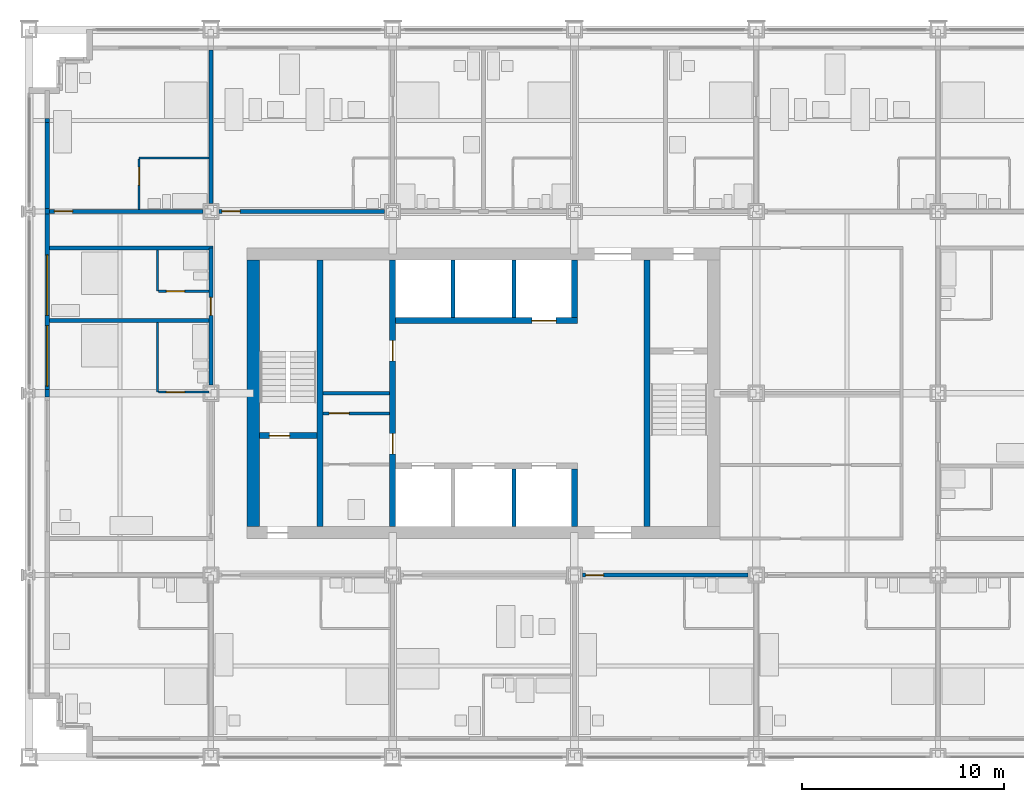
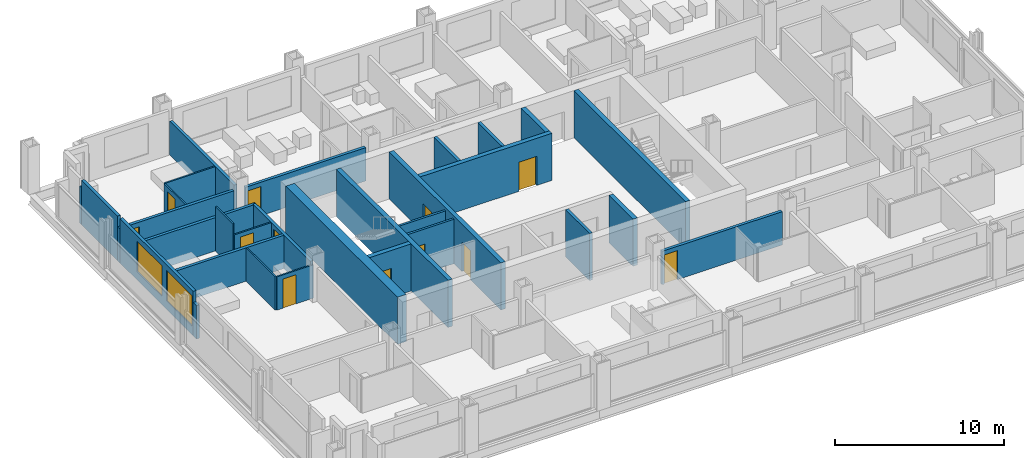
# One storey, part 11 of 18: 31 walls, 12 doors, 2 windows, 14 openings.
"""IFC4 building model written with IfcOpenShell, lengths in metres."""

from ifc_helpers import new_model, si_unit, direction, frame, frame_2d, origin, place, context, subcontext, project, spatial, rectangle, extrude, material, layer, layer_set, type_object, element, fill, save


model = new_model("IFC4")

# Units and contexts
model_context = context("Model", 3, precision=1e-05, world=origin(), true_north=direction((0.0, 1.0)))
body_context = subcontext(model_context, "Body", "Model", "MODEL_VIEW")
ifc_project = project(units=[si_unit("LENGTHUNIT", "METRE"), si_unit("AREAUNIT", "SQUARE_METRE"), si_unit("VOLUMEUNIT", "CUBIC_METRE"), si_unit("PLANEANGLEUNIT", "RADIAN"), si_unit("MASSUNIT", "GRAM", prefix="KILO")], contexts=[model_context])

# Site, building, storey
site_placement = place(None, origin())
site = spatial("IfcSite", under=ifc_project, at=site_placement, CompositionType="ELEMENT")
building_placement = place(site_placement, origin())
building = spatial("IfcBuilding", under=site, at=building_placement, Name="Loomwork Tower", CompositionType="ELEMENT")
storey_placement = place(building_placement, frame((0.0, 0.0, 41.60009765625)))
storey = spatial("IfcBuildingStorey", under=building, at=storey_placement, Name="L09", CompositionType="ELEMENT", Elevation=41.60009765625)

# Wall
ifc_material_1 = material(Name="Concrete 14000 psi (97 MPa)", Category="concrete")
ifc_layer_1 = layer(ifc_material_1, 0.300048828125)
ifc_layer_set_1 = layer_set([ifc_layer_1], Name="Core shear wall 300")
wall_type_1 = type_object("IfcWallType", Name="Core shear wall 300", PredefinedType="SHEAR", material=ifc_layer_set_1)
wall_1_placement = place(storey_placement, frame((14.39990234375, 11.39990234375, 0.0), z_axis=(0.0, 0.0, 1.0), x_axis=(0.0, 1.0, 0.0)))
element("IfcWall", 1, at=wall_1_placement, inside=storey, type_object=wall_type_1, Name="Stair A east wall L09", PredefinedType="SHEAR", context=body_context, shape_type="SweptSolid", body=[
    extrude(rectangle(XDim=13.2001953125, YDim=0.300048828125, at=frame_2d((6.60009765625, 0.0))), origin(), (0.0, 0.0, 1.0), 3.39990234375),
])

# Wall, opening, door
wall_2_placement = place(storey_placement, frame((11.39990234375, 15.89990234375, 0.0), z_axis=(0.0, 0.0, 1.0), x_axis=(1.0, 0.0, 0.0)))
wall_2 = element("IfcWall", 2, at=wall_2_placement, inside=storey, type_object=wall_type_1, Name="Stair A south wall L09", PredefinedType="SHEAR", context=body_context, shape_type="SweptSolid", body=[
    extrude(rectangle(XDim=2.85009765625, YDim=0.300048828125, at=frame_2d((1.425048828125, 0.0))), origin(), (0.0, 0.0, 1.0), 3.39990234375),
])
opening_1_placement = place(wall_2_placement, frame((0.5, 0.0, 0.0)))
opening_1 = element("IfcOpeningElement", 3, at=opening_1_placement, cuts=wall_2, Name="Opening D4", PredefinedType="OPENING", context=body_context, shape_type="SweptSolid", body=[
    extrude(rectangle(XDim=1.0, YDim=2.10009765625, at=frame_2d((0.5, 1.050048828125))), frame((0.0, 0.159912109375, 0.0), z_axis=(0.0, -1.0, 0.0), x_axis=(1.0, 0.0, 0.0)), (0.0, 0.0, 1.0), 0.320068359375),
])
ifc_material_2 = material(Name="Hollow metal door and frame")
door_type_1 = type_object("IfcDoorType", Name="Stair door 1000", OperationType="SINGLE_SWING_RIGHT", PredefinedType="DOOR", material=ifc_material_2)
door_1_placement = place(opening_1_placement, origin())
door_1 = element("IfcDoor", 4, at=door_1_placement, inside=storey, type_object=door_type_1, Name="Stair A door", OperationType="SINGLE_SWING_LEFT", OverallHeight=2.10009765625, OverallWidth=1.0, PredefinedType="DOOR", context=body_context, shape_type="SweptSolid", body=[
    extrude(rectangle(XDim=1.0, YDim=2.10009765625, at=frame_2d((0.5, 1.050048828125))), frame((0.0, 0.02490234375, 0.0), z_axis=(0.0, -1.0, 0.0), x_axis=(1.0, 0.0, 0.0)), (0.0, 0.0, 1.0), 0.050048828125),
])
fill(opening_1, door_1)

# Wall, openings, doors
wall_3_placement = place(storey_placement, frame((18.0, 11.39990234375, 0.0), z_axis=(0.0, 0.0, 1.0), x_axis=(0.0, 1.0, 0.0)))
wall_3 = element("IfcWall", 5, at=wall_3_placement, inside=storey, type_object=wall_type_1, Name="Lobby west wall L09", PredefinedType="SHEAR", context=body_context, shape_type="SweptSolid", body=[
    extrude(rectangle(XDim=13.2001953125, YDim=0.300048828125, at=frame_2d((6.60009765625, 0.0))), origin(), (0.0, 0.0, 1.0), 3.39990234375),
])
opening_2_placement = place(wall_3_placement, frame((3.60009765625, 0.0, 0.0)))
opening_2 = element("IfcOpeningElement", 6, at=opening_2_placement, cuts=wall_3, Name="Opening D5", PredefinedType="OPENING", context=body_context, shape_type="SweptSolid", body=[
    extrude(rectangle(XDim=1.0, YDim=2.10009765625, at=frame_2d((0.5, 1.050048828125))), frame((0.0, 0.159912109375, 0.0), z_axis=(0.0, -1.0, 0.0), x_axis=(1.0, 0.0, 0.0)), (0.0, 0.0, 1.0), 0.320068359375),
])
opening_3_placement = place(wall_3_placement, frame((8.199951171875, 0.0, 0.0)))
opening_3 = element("IfcOpeningElement", 7, at=opening_3_placement, cuts=wall_3, Name="Opening D5", PredefinedType="OPENING", context=body_context, shape_type="SweptSolid", body=[
    extrude(rectangle(XDim=1.0, YDim=2.10009765625, at=frame_2d((0.5, 1.050048828125))), frame((0.0, 0.159912109375, 0.0), z_axis=(0.0, -1.0, 0.0), x_axis=(1.0, 0.0, 0.0)), (0.0, 0.0, 1.0), 0.320068359375),
])
ifc_material_3 = material(Name="Hollow metal door and frame")
door_type_2 = type_object("IfcDoorType", Name="Service door 1000", OperationType="SINGLE_SWING_LEFT", PredefinedType="DOOR", material=ifc_material_3)
door_2_placement = place(opening_2_placement, origin())
door_2 = element("IfcDoor", 8, at=door_2_placement, inside=storey, type_object=door_type_2, Name="Back-of-house door south", OperationType="SINGLE_SWING_LEFT", OverallHeight=2.10009765625, OverallWidth=1.0, PredefinedType="DOOR", context=body_context, shape_type="SweptSolid", body=[
    extrude(rectangle(XDim=1.0, YDim=2.10009765625, at=frame_2d((0.5, 1.050048828125))), frame((0.0, 0.02490234375, 0.0), z_axis=(0.0, -1.0, 0.0), x_axis=(1.0, 0.0, 0.0)), (0.0, 0.0, 1.0), 0.050048828125),
])
fill(opening_2, door_2)
door_3_placement = place(opening_3_placement, origin())
door_3 = element("IfcDoor", 9, at=door_3_placement, inside=storey, type_object=door_type_2, Name="Back-of-house door north", OperationType="SINGLE_SWING_RIGHT", OverallHeight=2.10009765625, OverallWidth=1.0, PredefinedType="DOOR", context=body_context, shape_type="SweptSolid", body=[
    extrude(rectangle(XDim=1.0, YDim=2.10009765625, at=frame_2d((0.5, 1.050048828125))), frame((0.0, 0.02490234375, 0.0), z_axis=(0.0, -1.0, 0.0), x_axis=(1.0, 0.0, 0.0)), (0.0, 0.0, 1.0), 0.050048828125),
])
fill(opening_3, door_3)

# Wall
wall_4_placement = place(storey_placement, frame((27.0, 11.39990234375, 0.0), z_axis=(0.0, 0.0, 1.0), x_axis=(0.0, 1.0, 0.0)))
element("IfcWall", 10, at=wall_4_placement, inside=storey, type_object=wall_type_1, Name="Lift shaft end wall south L09", PredefinedType="SHEAR", context=body_context, shape_type="SweptSolid", body=[
    extrude(rectangle(XDim=2.85009765625, YDim=0.300048828125, at=frame_2d((1.425048828125, 0.0))), origin(), (0.0, 0.0, 1.0), 3.39990234375),
])

# Wall, opening, door
wall_5_placement = place(storey_placement, frame((18.14990234375, 21.60009765625, 0.0), z_axis=(0.0, 0.0, 1.0), x_axis=(1.0, 0.0, 0.0)))
wall_5 = element("IfcWall", 11, at=wall_5_placement, inside=storey, type_object=wall_type_1, Name="Lift front wall north L09", PredefinedType="SHEAR", context=body_context, shape_type="SweptSolid", body=[
    extrude(rectangle(XDim=9.0, YDim=0.300048828125, at=frame_2d((4.5, 0.0))), origin(), (0.0, 0.0, 1.0), 3.39990234375),
])
opening_4_placement = place(wall_5_placement, frame((6.75, 0.0, 0.0)))
opening_4 = element("IfcOpeningElement", 12, at=opening_4_placement, cuts=wall_5, Name="Opening LD2", PredefinedType="OPENING", context=body_context, shape_type="SweptSolid", body=[
    extrude(rectangle(XDim=1.199951171875, YDim=2.10009765625, at=frame_2d((0.60009765625, 1.050048828125))), frame((0.0, 0.159912109375, 0.0), z_axis=(0.0, -1.0, 0.0), x_axis=(1.0, 0.0, 0.0)), (0.0, 0.0, 1.0), 0.320068359375),
])
ifc_material_4 = material(Name="Hollow metal door and frame")
door_type_3 = type_object("IfcDoorType", Name="Lift landing door 1200", OperationType="SLIDING_TO_LEFT", PredefinedType="DOOR", material=ifc_material_4)
door_4_placement = place(opening_4_placement, origin())
door_4 = element("IfcDoor", 13, at=door_4_placement, inside=storey, type_object=door_type_3, Name="Lift landing door LF2", OperationType="SLIDING_TO_LEFT", OverallHeight=2.10009765625, OverallWidth=1.199951171875, PredefinedType="DOOR", context=body_context, shape_type="SweptSolid", body=[
    extrude(rectangle(XDim=1.199951171875, YDim=2.10009765625, at=frame_2d((0.60009765625, 1.050048828125))), frame((0.0, 0.02490234375, 0.0), z_axis=(0.0, -1.0, 0.0), x_axis=(1.0, 0.0, 0.0)), (0.0, 0.0, 1.0), 0.050048828125),
])
fill(opening_4, door_4)

# Walls
wall_6_placement = place(storey_placement, frame((27.0, 21.75, 0.0), z_axis=(0.0, 0.0, 1.0), x_axis=(0.0, 1.0, 0.0)))
element("IfcWall", 14, at=wall_6_placement, inside=storey, type_object=wall_type_1, Name="Lift shaft end wall north L09", PredefinedType="SHEAR", context=body_context, shape_type="SweptSolid", body=[
    extrude(rectangle(XDim=2.85009765625, YDim=0.300048828125, at=frame_2d((1.425048828125, 0.0))), origin(), (0.0, 0.0, 1.0), 3.39990234375),
])
wall_7_placement = place(storey_placement, frame((30.60009765625, 11.39990234375, 0.0), z_axis=(0.0, 0.0, 1.0), x_axis=(0.0, 1.0, 0.0)))
element("IfcWall", 15, at=wall_7_placement, inside=storey, type_object=wall_type_1, Name="Stair B west wall L09", PredefinedType="SHEAR", context=body_context, shape_type="SweptSolid", body=[
    extrude(rectangle(XDim=13.2001953125, YDim=0.300048828125, at=frame_2d((6.60009765625, 0.0))), origin(), (0.0, 0.0, 1.0), 3.39990234375),
])
ifc_material_5 = material(Name="Concrete 14000 psi (97 MPa)", Category="concrete")
ifc_layer_2 = layer(ifc_material_5, 0.60009765625)
ifc_layer_set_2 = layer_set([ifc_layer_2], Name="Core shear wall 600")
wall_type_2 = type_object("IfcWallType", Name="Core shear wall 600", PredefinedType="SHEAR", material=ifc_layer_set_2)
wall_8_placement = place(storey_placement, frame((11.10009765625, 11.39990234375, 0.0), z_axis=(0.0, 0.0, 1.0), x_axis=(0.0, 1.0, 0.0)))
element("IfcWall", 16, at=wall_8_placement, inside=storey, type_object=wall_type_2, Name="Core wall west L09", PredefinedType="SHEAR", context=body_context, shape_type="SweptSolid", body=[
    extrude(rectangle(XDim=13.2001953125, YDim=0.60009765625, at=frame_2d((6.60009765625, 0.0))), origin(), (0.0, 0.0, 1.0), 3.39990234375),
])

# Wall, opening, door
ifc_material_6 = material(Name="Gypsum board on steel studs, one-hour", Category="steel")
ifc_layer_3 = layer(ifc_material_6, 0.199951171875)
ifc_layer_set_3 = layer_set([ifc_layer_3], Name="Corridor wall 200")
wall_type_3 = type_object("IfcWallType", Name="Corridor wall 200", PredefinedType="PARTITIONING", material=ifc_layer_set_3)
wall_9_placement = place(storey_placement, frame((27.39990234375, 9.0, 0.0), z_axis=(0.0, 0.0, 1.0), x_axis=(1.0, 0.0, 0.0)))
wall_9 = element("IfcWall", 17, at=wall_9_placement, inside=storey, type_object=wall_type_3, Name="South corridor wall 4", PredefinedType="PARTITIONING", context=body_context, shape_type="SweptSolid", body=[
    extrude(rectangle(XDim=8.2001953125, YDim=0.199951171875, at=frame_2d((4.10009765625, 0.0))), origin(), (0.0, 0.0, 1.0), 2.40478515625),
])
opening_5_placement = place(wall_9_placement, frame((0.14990234375, 0.0, 0.0)))
opening_5 = element("IfcOpeningElement", 18, at=opening_5_placement, cuts=wall_9, Name="Opening D1", PredefinedType="OPENING", context=body_context, shape_type="SweptSolid", body=[
    extrude(rectangle(XDim=0.89990234375, YDim=2.10009765625, at=frame_2d((0.449951171875, 1.050048828125))), frame((0.0, 0.10986328125, 0.0), z_axis=(0.0, -1.0, 0.0), x_axis=(1.0, 0.0, 0.0)), (0.0, 0.0, 1.0), 0.219970703125),
])
ifc_material_7 = material(Name="Hollow metal door and frame")
door_type_4 = type_object("IfcDoorType", Name="Guest room entry door 900", OperationType="SINGLE_SWING_LEFT", PredefinedType="DOOR", material=ifc_material_7)
door_5_placement = place(opening_5_placement, frame((0.89990234375, 0.0, 0.0), z_axis=(0.0, 0.0, 1.0), x_axis=(-1.0, 0.0, 0.0)))
door_5 = element("IfcDoor", 19, at=door_5_placement, inside=storey, type_object=door_type_4, Name="Guest room entry door L09 4", OperationType="SINGLE_SWING_RIGHT", OverallHeight=2.10009765625, OverallWidth=0.89990234375, PredefinedType="DOOR", context=body_context, shape_type="SweptSolid", body=[
    extrude(rectangle(XDim=0.89990234375, YDim=2.10009765625, at=frame_2d((0.449951171875, 1.050048828125))), frame((0.0, 0.02490234375, 0.0), z_axis=(0.0, -1.0, 0.0), x_axis=(1.0, 0.0, 0.0)), (0.0, 0.0, 1.0), 0.050048828125),
])
fill(opening_5, door_5)

wall_10_placement = place(storey_placement, frame((1.0, 27.0, 0.0), z_axis=(0.0, 0.0, 1.0), x_axis=(1.0, 0.0, 0.0)))
wall_10 = element("IfcWall", 20, at=wall_10_placement, inside=storey, type_object=wall_type_3, Name="North corridor wall 1", PredefinedType="PARTITIONING", context=body_context, shape_type="SweptSolid", body=[
    extrude(rectangle(XDim=7.60009765625, YDim=0.199951171875, at=frame_2d((3.800048828125, 0.0))), origin(), (0.0, 0.0, 1.0), 2.43798828125),
])
opening_6_placement = place(wall_10_placement, frame((0.25, 0.0, 0.0)))
opening_6 = element("IfcOpeningElement", 21, at=opening_6_placement, cuts=wall_10, Name="Opening D1", PredefinedType="OPENING", context=body_context, shape_type="SweptSolid", body=[
    extrude(rectangle(XDim=0.89990234375, YDim=2.10009765625, at=frame_2d((0.449951171875, 1.050048828125))), frame((0.0, 0.10986328125, 0.0), z_axis=(0.0, -1.0, 0.0), x_axis=(1.0, 0.0, 0.0)), (0.0, 0.0, 1.0), 0.219970703125),
])
door_6_placement = place(opening_6_placement, origin())
door_6 = element("IfcDoor", 22, at=door_6_placement, inside=storey, type_object=door_type_4, Name="Guest room entry door L09 7", OperationType="SINGLE_SWING_LEFT", OverallHeight=2.10009765625, OverallWidth=0.89990234375, PredefinedType="DOOR", context=body_context, shape_type="SweptSolid", body=[
    extrude(rectangle(XDim=0.89990234375, YDim=2.10009765625, at=frame_2d((0.449951171875, 1.050048828125))), frame((0.0, 0.02490234375, 0.0), z_axis=(0.0, -1.0, 0.0), x_axis=(1.0, 0.0, 0.0)), (0.0, 0.0, 1.0), 0.050048828125),
])
fill(opening_6, door_6)

wall_11_placement = place(storey_placement, frame((9.39990234375, 27.0, 0.0), z_axis=(0.0, 0.0, 1.0), x_axis=(1.0, 0.0, 0.0)))
wall_11 = element("IfcWall", 23, at=wall_11_placement, inside=storey, type_object=wall_type_3, Name="North corridor wall 2", PredefinedType="PARTITIONING", context=body_context, shape_type="SweptSolid", body=[
    extrude(rectangle(XDim=8.2001953125, YDim=0.199951171875, at=frame_2d((4.10009765625, 0.0))), origin(), (0.0, 0.0, 1.0), 2.40478515625),
])
opening_7_placement = place(wall_11_placement, frame((0.14990234375, 0.0, 0.0)))
opening_7 = element("IfcOpeningElement", 24, at=opening_7_placement, cuts=wall_11, Name="Opening D1", PredefinedType="OPENING", context=body_context, shape_type="SweptSolid", body=[
    extrude(rectangle(XDim=0.89990234375, YDim=2.10009765625, at=frame_2d((0.449951171875, 1.050048828125))), frame((0.0, 0.10986328125, 0.0), z_axis=(0.0, -1.0, 0.0), x_axis=(1.0, 0.0, 0.0)), (0.0, 0.0, 1.0), 0.219970703125),
])
door_7_placement = place(opening_7_placement, origin())
door_7 = element("IfcDoor", 25, at=door_7_placement, inside=storey, type_object=door_type_4, Name="Guest room entry door L09 8", OperationType="SINGLE_SWING_LEFT", OverallHeight=2.10009765625, OverallWidth=0.89990234375, PredefinedType="DOOR", context=body_context, shape_type="SweptSolid", body=[
    extrude(rectangle(XDim=0.89990234375, YDim=2.10009765625, at=frame_2d((0.449951171875, 1.050048828125))), frame((0.0, 0.02490234375, 0.0), z_axis=(0.0, -1.0, 0.0), x_axis=(1.0, 0.0, 0.0)), (0.0, 0.0, 1.0), 0.050048828125),
])
fill(opening_7, door_7)

wall_12_placement = place(storey_placement, frame((9.0, 18.39990234375, 0.0), z_axis=(0.0, 0.0, 1.0), x_axis=(0.0, 1.0, 0.0)))
wall_12 = element("IfcWall", 26, at=wall_12_placement, inside=storey, type_object=wall_type_3, Name="West corridor wall 2", PredefinedType="PARTITIONING", context=body_context, shape_type="SweptSolid", body=[
    extrude(rectangle(XDim=6.800048828125, YDim=0.199951171875, at=frame_2d((3.39990234375, 0.0))), origin(), (0.0, 0.0, 1.0), 2.40478515625),
])
opening_8_placement = place(wall_12_placement, frame((3.449951171875, 0.0, 0.0)))
opening_8 = element("IfcOpeningElement", 27, at=opening_8_placement, cuts=wall_12, Name="Opening D1", PredefinedType="OPENING", context=body_context, shape_type="SweptSolid", body=[
    extrude(rectangle(XDim=0.89990234375, YDim=2.10009765625, at=frame_2d((0.449951171875, 1.050048828125))), frame((0.0, 0.10986328125, 0.0), z_axis=(0.0, -1.0, 0.0), x_axis=(1.0, 0.0, 0.0)), (0.0, 0.0, 1.0), 0.219970703125),
])
door_8_placement = place(opening_8_placement, origin())
door_8 = element("IfcDoor", 28, at=door_8_placement, inside=storey, type_object=door_type_4, Name="Guest room entry door L09 15", OperationType="SINGLE_SWING_LEFT", OverallHeight=2.10009765625, OverallWidth=0.89990234375, PredefinedType="DOOR", context=body_context, shape_type="SweptSolid", body=[
    extrude(rectangle(XDim=0.89990234375, YDim=2.10009765625, at=frame_2d((0.449951171875, 1.050048828125))), frame((0.0, 0.02490234375, 0.0), z_axis=(0.0, -1.0, 0.0), x_axis=(1.0, 0.0, 0.0)), (0.0, 0.0, 1.0), 0.050048828125),
])
fill(opening_8, door_8)

# Walls
wall_13_placement = place(storey_placement, frame((1.0, 25.199951171875, 0.0), z_axis=(0.0, 0.0, 1.0), x_axis=(1.0, 0.0, 0.0)))
element("IfcWall", 29, at=wall_13_placement, inside=storey, type_object=wall_type_3, Name="West band end wall N", PredefinedType="PARTITIONING", context=body_context, shape_type="SweptSolid", body=[
    extrude(rectangle(XDim=8.10009765625, YDim=0.199951171875, at=frame_2d((4.050048828125, 0.0))), origin(), (0.0, 0.0, 1.0), 2.40380859375),
])
ifc_material_8 = material(Name="Cement board on steel studs", Category="steel")
ifc_layer_4 = layer(ifc_material_8, 0.10009765625)
ifc_layer_set_4 = layer_set([ifc_layer_4], Name="En-suite partition 100")
wall_type_4 = type_object("IfcWallType", Name="En-suite partition 100", PredefinedType="PARTITIONING", material=ifc_layer_set_4)
wall_14_placement = place(storey_placement, frame((5.449951171875, 29.64990234375, 0.0), z_axis=(0.0, 0.0, 1.0), x_axis=(1.0, 0.0, 0.0)))
element("IfcWall", 30, at=wall_14_placement, inside=storey, type_object=wall_type_4, Name="En-suite wall L09 room 7", PredefinedType="PARTITIONING", context=body_context, shape_type="SweptSolid", body=[
    extrude(rectangle(XDim=3.449951171875, YDim=0.10009765625, at=frame_2d((1.72509765625, 0.0))), origin(), (0.0, 0.0, 1.0), 2.43798828125),
])

# Wall, opening, door
wall_15_placement = place(storey_placement, frame((5.449951171875, 27.10009765625, 0.0), z_axis=(0.0, 0.0, 1.0), x_axis=(0.0, 1.0, 0.0)))
wall_15 = element("IfcWall", 31, at=wall_15_placement, inside=storey, type_object=wall_type_4, Name="En-suite side wall L09 room 7", PredefinedType="PARTITIONING", context=body_context, shape_type="SweptSolid", body=[
    extrude(rectangle(XDim=2.5, YDim=0.10009765625, at=frame_2d((1.25, 0.0))), origin(), (0.0, 0.0, 1.0), 2.43798828125),
])
opening_9_placement = place(wall_15_placement, frame((1.199951171875, 0.0, 0.0)))
opening_9 = element("IfcOpeningElement", 32, at=opening_9_placement, cuts=wall_15, Name="Opening D2", PredefinedType="OPENING", context=body_context, shape_type="SweptSolid", body=[
    extrude(rectangle(XDim=0.89990234375, YDim=2.10009765625, at=frame_2d((0.449951171875, 1.050048828125))), frame((0.0, 0.06005859375, 0.0), z_axis=(0.0, -1.0, 0.0), x_axis=(1.0, 0.0, 0.0)), (0.0, 0.0, 1.0), 0.1201171875),
])
ifc_material_9 = material(Name="Hollow metal door and frame")
door_type_5 = type_object("IfcDoorType", Name="En-suite door 900", OperationType="SINGLE_SWING_LEFT", PredefinedType="DOOR", material=ifc_material_9)
door_9_placement = place(opening_9_placement, frame((0.89990234375, 0.0, 0.0), z_axis=(0.0, 0.0, 1.0), x_axis=(-1.0, 0.0, 0.0)))
door_9 = element("IfcDoor", 33, at=door_9_placement, inside=storey, type_object=door_type_5, Name="En-suite door room 7", OperationType="SINGLE_SWING_LEFT", OverallHeight=2.10009765625, OverallWidth=0.89990234375, PredefinedType="DOOR", context=body_context, shape_type="SweptSolid", body=[
    extrude(rectangle(XDim=0.89990234375, YDim=2.10009765625, at=frame_2d((0.449951171875, 1.050048828125))), frame((0.0, 0.02490234375, 0.0), z_axis=(0.0, -1.0, 0.0), x_axis=(1.0, 0.0, 0.0)), (0.0, 0.0, 1.0), 0.050048828125),
])
fill(opening_9, door_9)

# Wall
wall_16_placement = place(storey_placement, frame((6.35009765625, 18.050048828125, 0.0), z_axis=(0.0, 0.0, 1.0), x_axis=(0.0, 1.0, 0.0)))
element("IfcWall", 34, at=wall_16_placement, inside=storey, type_object=wall_type_4, Name="En-suite wall L09 room 14", PredefinedType="PARTITIONING", context=body_context, shape_type="SweptSolid", body=[
    extrude(rectangle(XDim=3.449951171875, YDim=0.10009765625, at=frame_2d((1.72509765625, 0.0))), origin(), (0.0, 0.0, 1.0), 2.40380859375),
])

# Wall, opening, door
wall_17_placement = place(storey_placement, frame((8.89990234375, 18.050048828125, 0.0), z_axis=(0.0, 0.0, 1.0), x_axis=(-1.0, 0.0, 0.0)))
wall_17 = element("IfcWall", 35, at=wall_17_placement, inside=storey, type_object=wall_type_4, Name="En-suite side wall L09 room 14", PredefinedType="PARTITIONING", context=body_context, shape_type="SweptSolid", body=[
    extrude(rectangle(XDim=2.5, YDim=0.10009765625, at=frame_2d((1.25, 0.0))), origin(), (0.0, 0.0, 1.0), 2.40478515625),
])
opening_10_placement = place(wall_17_placement, frame((1.199951171875, 0.0, 0.0)))
opening_10 = element("IfcOpeningElement", 36, at=opening_10_placement, cuts=wall_17, Name="Opening D2", PredefinedType="OPENING", context=body_context, shape_type="SweptSolid", body=[
    extrude(rectangle(XDim=0.89990234375, YDim=2.10009765625, at=frame_2d((0.449951171875, 1.050048828125))), frame((0.0, 0.06005859375, 0.0), z_axis=(0.0, -1.0, 0.0), x_axis=(1.0, 0.0, 0.0)), (0.0, 0.0, 1.0), 0.1201171875),
])
door_10_placement = place(opening_10_placement, frame((0.89990234375, 0.0, 0.0), z_axis=(0.0, 0.0, 1.0), x_axis=(-1.0, 0.0, 0.0)))
door_10 = element("IfcDoor", 37, at=door_10_placement, inside=storey, type_object=door_type_5, Name="En-suite door room 14", OperationType="SINGLE_SWING_LEFT", OverallHeight=2.10009765625, OverallWidth=0.89990234375, PredefinedType="DOOR", context=body_context, shape_type="SweptSolid", body=[
    extrude(rectangle(XDim=0.89990234375, YDim=2.10009765625, at=frame_2d((0.449951171875, 1.050048828125))), frame((0.0, 0.02490234375, 0.0), z_axis=(0.0, -1.0, 0.0), x_axis=(1.0, 0.0, 0.0)), (0.0, 0.0, 1.0), 0.050048828125),
])
fill(opening_10, door_10)

# Wall
wall_18_placement = place(storey_placement, frame((6.35009765625, 23.050048828125, 0.0), z_axis=(0.0, 0.0, 1.0), x_axis=(0.0, 1.0, 0.0)))
element("IfcWall", 38, at=wall_18_placement, inside=storey, type_object=wall_type_4, Name="En-suite wall L09 room 15", PredefinedType="PARTITIONING", context=body_context, shape_type="SweptSolid", body=[
    extrude(rectangle(XDim=2.050048828125, YDim=0.10009765625, at=frame_2d((1.02490234375, 0.0))), origin(), (0.0, 0.0, 1.0), 3.199951171875),
])

# Wall, opening, door
wall_19_placement = place(storey_placement, frame((8.89990234375, 23.050048828125, 0.0), z_axis=(0.0, 0.0, 1.0), x_axis=(-1.0, 0.0, 0.0)))
wall_19 = element("IfcWall", 39, at=wall_19_placement, inside=storey, type_object=wall_type_4, Name="En-suite side wall L09 room 15", PredefinedType="PARTITIONING", context=body_context, shape_type="SweptSolid", body=[
    extrude(rectangle(XDim=2.5, YDim=0.10009765625, at=frame_2d((1.25, 0.0))), origin(), (0.0, 0.0, 1.0), 2.40380859375),
])
opening_11_placement = place(wall_19_placement, frame((1.199951171875, 0.0, 0.0)))
opening_11 = element("IfcOpeningElement", 40, at=opening_11_placement, cuts=wall_19, Name="Opening D2", PredefinedType="OPENING", context=body_context, shape_type="SweptSolid", body=[
    extrude(rectangle(XDim=0.89990234375, YDim=2.10009765625, at=frame_2d((0.449951171875, 1.050048828125))), frame((0.0, 0.06005859375, 0.0), z_axis=(0.0, -1.0, 0.0), x_axis=(1.0, 0.0, 0.0)), (0.0, 0.0, 1.0), 0.1201171875),
])
door_11_placement = place(opening_11_placement, frame((0.89990234375, 0.0, 0.0), z_axis=(0.0, 0.0, 1.0), x_axis=(-1.0, 0.0, 0.0)))
door_11 = element("IfcDoor", 41, at=door_11_placement, inside=storey, type_object=door_type_5, Name="En-suite door room 15", OperationType="SINGLE_SWING_LEFT", OverallHeight=2.10009765625, OverallWidth=0.89990234375, PredefinedType="DOOR", context=body_context, shape_type="SweptSolid", body=[
    extrude(rectangle(XDim=0.89990234375, YDim=2.10009765625, at=frame_2d((0.449951171875, 1.050048828125))), frame((0.0, 0.02490234375, 0.0), z_axis=(0.0, -1.0, 0.0), x_axis=(1.0, 0.0, 0.0)), (0.0, 0.0, 1.0), 0.050048828125),
])
fill(opening_11, door_11)

# Walls
ifc_material_10 = material(Name="Gypsum board on steel studs, acoustic", Category="steel")
ifc_layer_5 = layer(ifc_material_10, 0.199951171875)
ifc_layer_set_5 = layer_set([ifc_layer_5], Name="Guest room party wall 200")
wall_type_5 = type_object("IfcWallType", Name="Guest room party wall 200", PredefinedType="PARTITIONING", material=ifc_layer_set_5)
wall_20_placement = place(storey_placement, frame((9.0, 27.39990234375, 0.0), z_axis=(0.0, 0.0, 1.0), x_axis=(0.0, 1.0, 0.0)))
element("IfcWall", 42, at=wall_20_placement, inside=storey, type_object=wall_type_5, Name="Guest room party wall N 9", PredefinedType="PARTITIONING", context=body_context, shape_type="SweptSolid", body=[
    extrude(rectangle(XDim=7.60009765625, YDim=0.199951171875, at=frame_2d((3.800048828125, 0.0))), origin(), (0.0, 0.0, 1.0), 2.43798828125),
])
wall_21_placement = place(storey_placement, frame((8.89990234375, 21.60009765625, 0.0), z_axis=(0.0, 0.0, 1.0), x_axis=(-1.0, 0.0, 0.0)))
element("IfcWall", 43, at=wall_21_placement, inside=storey, type_object=wall_type_5, Name="Guest room party wall W 21.6", PredefinedType="PARTITIONING", context=body_context, shape_type="SweptSolid", body=[
    extrude(rectangle(XDim=7.89990234375, YDim=0.199951171875, at=frame_2d((3.949951171875, 0.0))), origin(), (0.0, 0.0, 1.0), 2.40380859375),
])
ifc_material_11 = material(Name="Insulated steel stud wall with gypsum lining", Category="steel")
ifc_layer_6 = layer(ifc_material_11, 0.199951171875)
ifc_layer_set_6 = layer_set([ifc_layer_6], Name="Inner skin wall 200")
wall_type_6 = type_object("IfcWallType", Name="Inner skin wall 200", PredefinedType="SOLIDWALL", material=ifc_layer_set_6)
wall_22_placement = place(storey_placement, frame((0.89990234375, 17.80615234375, 0.0), z_axis=(0.0, 0.0, 1.0), x_axis=(0.0, 1.0, 0.0)))
element("IfcWall", 44, at=wall_22_placement, inside=storey, type_object=wall_type_6, Name="Inner skin wall W bay 6", PredefinedType="SOLIDWALL", context=body_context, shape_type="SweptSolid", body=[
    extrude(rectangle(XDim=0.3876953125, YDim=0.199951171875, at=frame_2d((0.19384765625, 0.0))), origin(), (0.0, 0.0, 1.0), 2.40380859375),
])

# Wall, openings, windows
wall_23_placement = place(storey_placement, frame((0.89990234375, 18.19384765625, 0.0), z_axis=(0.0, 0.0, 1.0), x_axis=(0.0, 1.0, 0.0)))
wall_23 = element("IfcWall", 45, at=wall_23_placement, inside=storey, type_object=wall_type_6, Name="Inner skin wall W bay 7", PredefinedType="SOLIDWALL", context=body_context, shape_type="SweptSolid", body=[
    extrude(rectangle(XDim=8.6708984375, YDim=0.199951171875, at=frame_2d((4.33544921875, 0.0))), origin(), (0.0, 0.0, 1.0), 3.199951171875),
])
opening_12_placement = place(wall_23_placement, frame((0.15625, 0.0, 0.60009765625)))
opening_12 = element("IfcOpeningElement", 46, at=opening_12_placement, cuts=wall_23, Name="Opening CH1", PredefinedType="OPENING", context=body_context, shape_type="SweptSolid", body=[
    extrude(rectangle(XDim=3.0, YDim=2.199951171875, at=frame_2d((1.5, 1.10009765625))), frame((0.0, 0.10986328125, 0.0), z_axis=(0.0, -1.0, 0.0), x_axis=(1.0, 0.0, 0.0)), (0.0, 0.0, 1.0), 0.219970703125),
])
opening_13_placement = place(wall_23_placement, frame((3.65625, 0.0, 0.60009765625)))
opening_13 = element("IfcOpeningElement", 47, at=opening_13_placement, cuts=wall_23, Name="Opening CH1", PredefinedType="OPENING", context=body_context, shape_type="SweptSolid", body=[
    extrude(rectangle(XDim=3.0, YDim=2.199951171875, at=frame_2d((1.5, 1.10009765625))), frame((0.0, 0.10986328125, 0.0), z_axis=(0.0, -1.0, 0.0), x_axis=(1.0, 0.0, 0.0)), (0.0, 0.0, 1.0), 0.219970703125),
])
ifc_material_12 = material(Name="Aluminium frame with clear insulated glass", Category="aluminium")
window_type = type_object("IfcWindowType", Name="Chicago window 3000", PartitioningType="TRIPLE_PANEL_VERTICAL", PredefinedType="WINDOW", material=ifc_material_12)
window_1_placement = place(opening_12_placement, origin())
window_1 = element("IfcWindow", 48, at=window_1_placement, inside=storey, type_object=window_type, Name="Chicago window L09 bay 14", OverallHeight=2.199951171875, OverallWidth=3.0, PartitioningType="TRIPLE_PANEL_VERTICAL", PredefinedType="WINDOW", context=body_context, shape_type="SweptSolid", body=[
    extrude(rectangle(XDim=3.0, YDim=2.199951171875, at=frame_2d((1.5, 1.10009765625))), frame((0.0, 0.030029296875, 0.0), z_axis=(0.0, -1.0, 0.0), x_axis=(1.0, 0.0, 0.0)), (0.0, 0.0, 1.0), 0.06005859375),
])
fill(opening_12, window_1)
window_2_placement = place(opening_13_placement, origin())
window_2 = element("IfcWindow", 49, at=window_2_placement, inside=storey, type_object=window_type, Name="Chicago window L09 bay 14", OverallHeight=2.199951171875, OverallWidth=3.0, PartitioningType="TRIPLE_PANEL_VERTICAL", PredefinedType="WINDOW", context=body_context, shape_type="SweptSolid", body=[
    extrude(rectangle(XDim=3.0, YDim=2.199951171875, at=frame_2d((1.5, 1.10009765625))), frame((0.0, 0.030029296875, 0.0), z_axis=(0.0, -1.0, 0.0), x_axis=(1.0, 0.0, 0.0)), (0.0, 0.0, 1.0), 0.06005859375),
])
fill(opening_13, window_2)

# Walls
wall_24_placement = place(storey_placement, frame((0.89990234375, 26.86474609375, 0.0), z_axis=(0.0, 0.0, 1.0), x_axis=(0.0, 1.0, 0.0)))
element("IfcWall", 50, at=wall_24_placement, inside=storey, type_object=wall_type_6, Name="Inner skin wall W bay 8", PredefinedType="SOLIDWALL", context=body_context, shape_type="SweptSolid", body=[
    extrude(rectangle(XDim=0.2705078125, YDim=0.199951171875, at=frame_2d((0.13525390625, 0.0))), origin(), (0.0, 0.0, 1.0), 2.43798828125),
])
wall_25_placement = place(storey_placement, frame((0.89990234375, 27.13525390625, 0.0), z_axis=(0.0, 0.0, 1.0), x_axis=(0.0, 1.0, 0.0)))
element("IfcWall", 51, at=wall_25_placement, inside=storey, type_object=wall_type_6, Name="Inner skin wall W bay 9", PredefinedType="SOLIDWALL", context=body_context, shape_type="SweptSolid", body=[
    extrude(rectangle(XDim=4.25732421875, YDim=0.199951171875, at=frame_2d((2.128662109375, 0.0))), origin(), (0.0, 0.0, 1.0), 3.199951171875),
])
wall_26_placement = place(storey_placement, frame((0.89990234375, 31.392578125, 0.0), z_axis=(0.0, 0.0, 1.0), x_axis=(0.0, 1.0, 0.0)))
element("IfcWall", 52, at=wall_26_placement, inside=storey, type_object=wall_type_6, Name="Inner skin wall W bay 10", PredefinedType="SOLIDWALL", context=body_context, shape_type="SweptSolid", body=[
    extrude(rectangle(XDim=0.21484375, YDim=0.199951171875, at=frame_2d((0.107421875, 0.0))), origin(), (0.0, 0.0, 1.0), 2.660888671875),
])
ifc_material_13 = material(Name="Concrete 14000 psi (97 MPa)", Category="concrete")
ifc_layer_7 = layer(ifc_material_13, 0.199951171875)
ifc_layer_set_7 = layer_set([ifc_layer_7], Name="Lift shaft wall 200")
wall_type_7 = type_object("IfcWallType", Name="Lift shaft wall 200", PredefinedType="SHEAR", material=ifc_layer_set_7)
for number, where, z_axis, x_axis, name in (
    (53, (24.0, 11.39990234375, 0.0), (0.0, 0.0, 1.0), (0.0, 1.0, 0.0), "Lift shaft separation wall south 2 L09"),
    (54, (21.0, 21.75, 0.0), (0.0, 0.0, 1.0), (0.0, 1.0, 0.0), "Lift shaft separation wall north 1 L09"),
    (55, (24.0, 21.75, 0.0), (0.0, 0.0, 1.0), (0.0, 1.0, 0.0), "Lift shaft separation wall north 2 L09"),
):
    element("IfcWall", number, at=place(storey_placement, frame(where, z_axis=z_axis, x_axis=x_axis)), inside=storey, type_object=wall_type_7, Name=name, PredefinedType="SHEAR", context=body_context, shape_type="SweptSolid", body=[
        extrude(rectangle(XDim=2.85009765625, YDim=0.199951171875, at=frame_2d((1.425048828125, 0.0))), origin(), (0.0, 0.0, 1.0), 3.39990234375),
    ])
ifc_material_14 = material(Name="Gypsum board on steel studs", Category="steel")
ifc_layer_8 = layer(ifc_material_14, 0.14990234375)
ifc_layer_set_8 = layer_set([ifc_layer_8], Name="Partition 150 two-hour")
wall_type_8 = type_object("IfcWallType", Name="Partition 150 two-hour", PredefinedType="PARTITIONING", material=ifc_layer_set_8)
wall_27_placement = place(storey_placement, frame((14.550048828125, 18.0, 0.0), z_axis=(0.0, 0.0, 1.0), x_axis=(1.0, 0.0, 0.0)))
element("IfcWall", 56, at=wall_27_placement, inside=storey, type_object=wall_type_8, Name="Back-of-house dividing wall L09", PredefinedType="PARTITIONING", context=body_context, shape_type="SweptSolid", body=[
    extrude(rectangle(XDim=3.300048828125, YDim=0.14990234375, at=frame_2d((1.64990234375, 0.0))), origin(), (0.0, 0.0, 1.0), 3.199951171875),
])

# Wall, opening, door
ifc_material_15 = material(Name="Gypsum board on steel studs, one-hour", Category="steel")
ifc_layer_9 = layer(ifc_material_15, 0.14990234375)
ifc_layer_set_9 = layer_set([ifc_layer_9], Name="Service partition 150")
wall_type_9 = type_object("IfcWallType", Name="Service partition 150", PredefinedType="PARTITIONING", material=ifc_layer_set_9)
wall_28_placement = place(storey_placement, frame((14.550048828125, 17.0, 0.0), z_axis=(0.0, 0.0, 1.0), x_axis=(1.0, 0.0, 0.0)))
wall_28 = element("IfcWall", 57, at=wall_28_placement, inside=storey, type_object=wall_type_9, Name="Riser enclosure L09", PredefinedType="PARTITIONING", context=body_context, shape_type="SweptSolid", body=[
    extrude(rectangle(XDim=3.300048828125, YDim=0.14990234375, at=frame_2d((1.64990234375, 0.0))), origin(), (0.0, 0.0, 1.0), 3.199951171875),
])
opening_14_placement = place(wall_28_placement, frame((0.300048828125, 0.0, 0.0)))
opening_14 = element("IfcOpeningElement", 58, at=opening_14_placement, cuts=wall_28, Name="Opening D18", PredefinedType="OPENING", context=body_context, shape_type="SweptSolid", body=[
    extrude(rectangle(XDim=1.0, YDim=2.10009765625, at=frame_2d((0.5, 1.050048828125))), frame((0.0, 0.0849609375, 0.0), z_axis=(0.0, -1.0, 0.0), x_axis=(1.0, 0.0, 0.0)), (0.0, 0.0, 1.0), 0.169921875),
])
ifc_material_16 = material(Name="Hollow metal door and frame")
door_type_6 = type_object("IfcDoorType", Name="Ninety-minute service door 1000", OperationType="SINGLE_SWING_LEFT", PredefinedType="DOOR", material=ifc_material_16)
door_12_placement = place(opening_14_placement, frame((1.0, 0.0, 0.0), z_axis=(0.0, 0.0, 1.0), x_axis=(-1.0, 0.0, 0.0)))
door_12 = element("IfcDoor", 59, at=door_12_placement, inside=storey, type_object=door_type_6, Name="Riser access door", OperationType="SINGLE_SWING_RIGHT", OverallHeight=2.10009765625, OverallWidth=1.0, PredefinedType="DOOR", context=body_context, shape_type="SweptSolid", body=[
    extrude(rectangle(XDim=1.0, YDim=2.10009765625, at=frame_2d((0.5, 1.050048828125))), frame((0.0, 0.02490234375, 0.0), z_axis=(0.0, -1.0, 0.0), x_axis=(1.0, 0.0, 0.0)), (0.0, 0.0, 1.0), 0.050048828125),
])
fill(opening_14, door_12)

save(model, "model.ifc")
